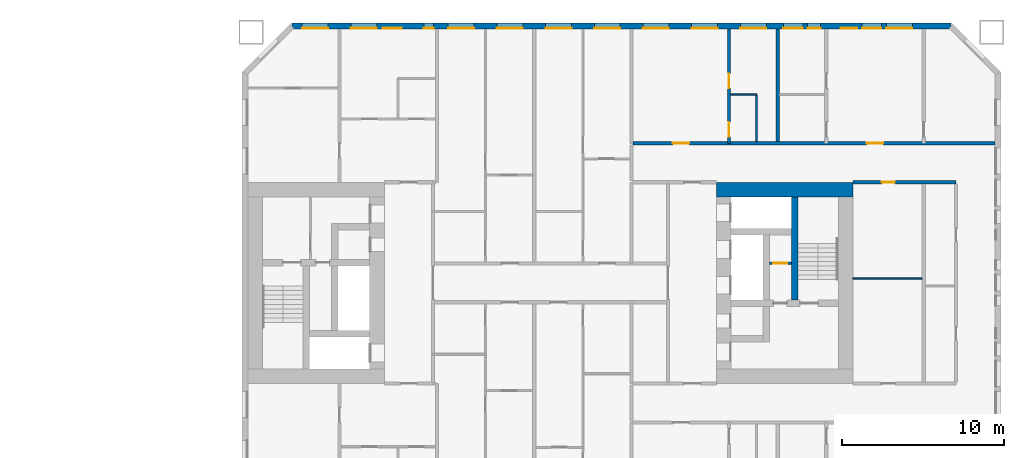
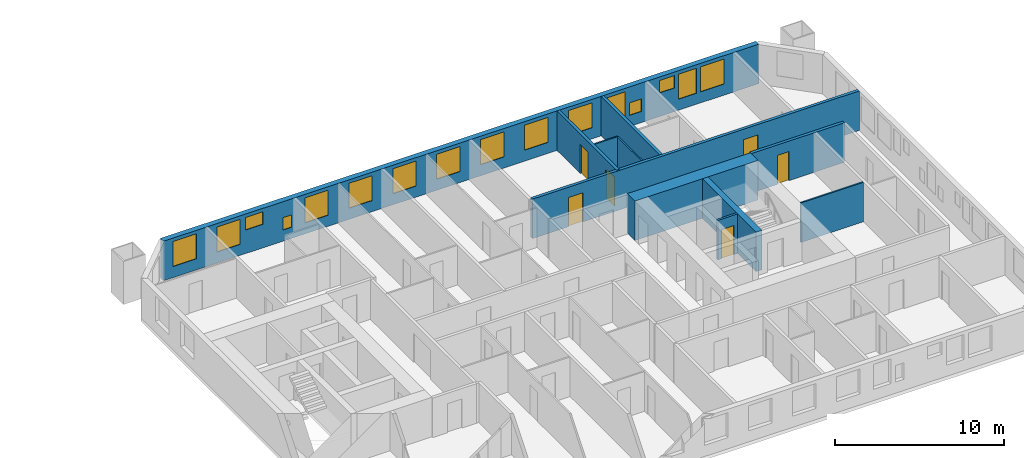
# One storey, part 14 of 17: 16 windows, 11 walls, 6 doors, 22 openings.
"""IFC4 building model written with IfcOpenShell, lengths in metres."""

import ifcopenshell
import ifcopenshell.guid

model = None  # the IFC model being written
_history = None  # IfcOwnerHistory: only IFC2X3 demands one
_inside = {}  # id of a spatial element -> (the spatial element, [elements in it])
_under = {}  # id of a project, library or spatial element -> (it, [spatial elements below it])
_declared = {}  # id of a project -> (the project, [libraries it declares])
_typed = {}  # id of a type object -> (the type object, [elements of that type])
_made_of = {}  # id of a material, layer set ... -> (it, [elements and type objects made of it])


def new_model(schema):
    """Start an empty IFC model of exactly this schema.

    Asked for "IFC4X3", IfcOpenShell would pick the latest addendum, in which some entities
    have other attributes; the version numbers below select the first issue.
    IFC2X3 requires an IfcOwnerHistory on every rooted entity: one is made here for all.
    """
    global model, _history
    if schema == "IFC4X3":
        model = ifcopenshell.file(schema_version=(4, 3, 0, 0))
    else:
        model = ifcopenshell.file(schema=schema)
    _inside.clear()
    _under.clear()
    _declared.clear()
    _typed.clear()
    _made_of.clear()
    _history = None
    if model.schema == "IFC2X3":
        org = make("IfcOrganization", Name="unknown")
        user = make(
            "IfcPersonAndOrganization",
            ThePerson=make("IfcPerson", FamilyName="unknown"),
            TheOrganization=org,
        )
        app = make(
            "IfcApplication",
            ApplicationDeveloper=org,
            Version="unknown",
            ApplicationFullName="unknown",
            ApplicationIdentifier="unknown",
        )
        _history = make(
            "IfcOwnerHistory",
            OwningUser=user,
            OwningApplication=app,
            ChangeAction="ADDED",
            CreationDate=0,
        )
    return model


def make(cls, **values):
    """One entity of the class cls with the attributes given. An attribute that is None is left unset."""
    return model.create_entity(
        cls, **{name: value for name, value in values.items() if value is not None}
    )


def rooted(cls, **values):
    """An entity with a GlobalId (a new one), such as an element, a storey or a relation."""
    return make(cls, GlobalId=ifcopenshell.guid.new(), OwnerHistory=_history, **values)


def si_unit(unit_type, name, prefix=None):
    """IfcSIUnit, for example si_unit("LENGTHUNIT", "METRE", prefix="MILLI")."""
    return make("IfcSIUnit", UnitType=unit_type, Prefix=prefix, Name=name)


def assignment(units):
    """IfcUnitAssignment: the units of a project."""
    return None if units is None else make("IfcUnitAssignment", Units=units)


def point(xyz):
    """IfcCartesianPoint."""
    return None if xyz is None else make("IfcCartesianPoint", Coordinates=xyz)


def direction(xyz):
    """IfcDirection."""
    return None if xyz is None else make("IfcDirection", DirectionRatios=xyz)


def frame(location, z_axis=None, x_axis=None):
    """IfcAxis2Placement3D, a coordinate frame: its origin and axes. An axis left out is left unset."""
    return make(
        "IfcAxis2Placement3D",
        Location=point(location),
        Axis=direction(z_axis),
        RefDirection=direction(x_axis),
    )


def frame_2d(location, x_axis=None):
    """IfcAxis2Placement2D, a coordinate frame in the plane: its origin and x axis."""
    return make(
        "IfcAxis2Placement2D", Location=point(location), RefDirection=direction(x_axis)
    )


def origin():
    """The frame at (0, 0, 0) with its axes left unset."""
    return frame((0.0, 0.0, 0.0))


def place(relative_to, where):
    """IfcLocalPlacement: puts the frame where relative to a parent placement (None: the world)."""
    return make(
        "IfcLocalPlacement", PlacementRelTo=relative_to, RelativePlacement=where
    )


def context(
    kind, dimensions, precision=None, world=None, true_north=None, identifier=None
):
    """IfcGeometricRepresentationContext, for example the 3D "Model" context."""
    return make(
        "IfcGeometricRepresentationContext",
        ContextIdentifier=identifier,
        ContextType=kind,
        CoordinateSpaceDimension=dimensions,
        Precision=precision,
        WorldCoordinateSystem=world,
        TrueNorth=true_north,
    )


def subcontext(parent, identifier, kind, view, scale=None):
    """IfcGeometricRepresentationSubContext, for example "Body" below "Model"."""
    return make(
        "IfcGeometricRepresentationSubContext",
        ContextIdentifier=identifier,
        ContextType=kind,
        ParentContext=parent,
        TargetScale=scale,
        TargetView=view,
    )


def project(units=None, contexts=None):
    """IfcProject with its units and contexts."""
    return rooted(
        "IfcProject",
        Name="project",
        RepresentationContexts=contexts,
        UnitsInContext=assignment(units),
    )


def spatial(cls, under=None, at=None, **own):
    """A site, building, storey or space (cls), placed at a placement, below another one or the project."""
    s = rooted(cls, ObjectPlacement=at, **own)
    if under is not None:
        _under.setdefault(under.id(), (under, []))[1].append(s)
    return s


def profile(cls, at=None, kind="AREA", **sizes):
    """A parametric profile (cls). Its sizes go by their IFC names, for example OverallWidth=200.0."""
    return make(cls, ProfileType=kind, Position=at, **sizes)


def rectangle(**sizes):
    """IfcRectangleProfileDef."""
    return profile("IfcRectangleProfileDef", **sizes)


def extrude(swept, where, along, depth):
    """IfcExtrudedAreaSolid: the profile swept, set in the frame where, extruded along a direction by depth."""
    return make(
        "IfcExtrudedAreaSolid",
        SweptArea=swept,
        Position=where,
        ExtrudedDirection=direction(along),
        Depth=depth,
    )


def shape(context_of_items, identifier, shape_type, items):
    """IfcShapeRepresentation: the items that make up one representation, for example the "Body"."""
    return make(
        "IfcShapeRepresentation",
        ContextOfItems=context_of_items,
        RepresentationIdentifier=identifier,
        RepresentationType=shape_type,
        Items=items,
    )


def material(Name=None, Category=None):
    """IfcMaterial."""
    return make("IfcMaterial", Name=Name, Category=Category)


def layer(
    of_material, thickness, ventilated=None, Name=None, Category=None, Priority=None
):
    """IfcMaterialLayer: one layer of a wall or slab, of a material (None: an air gap)."""
    return make(
        "IfcMaterialLayer",
        Material=of_material,
        LayerThickness=thickness,
        IsVentilated=ventilated,
        Name=Name,
        Category=Category,
        Priority=Priority,
    )


def layer_set(layers, Name=None):
    """IfcMaterialLayerSet."""
    return make("IfcMaterialLayerSet", MaterialLayers=layers, LayerSetName=Name)


def made_of(thing, what):
    """Note that an element or type object is made of a material, layer set ...; save() writes the relation."""
    if what is not None:
        _made_of.setdefault(what.id(), (what, []))[1].append(thing)
    return thing


def type_object(cls, material=None, **own):
    """A type object (cls), such as IfcWallType, which elements share."""
    return made_of(rooted(cls, **own), material)


def element(
    cls,
    number,
    at=None,
    inside=None,
    cuts=None,
    type_object=None,
    material=None,
    context=None,
    identifier="Body",
    shape_type=None,
    held_by="IfcProductDefinitionShape",
    body=None,
    shapes=None,
    **own,
):
    """One element of the class cls, such as IfcWall. Its Tag is "e" and its number.

    at: its placement. inside: the storey or other place that contains it. cuts: it is an
    opening in that element (IfcRelVoidsElement). A single representation is given by context,
    identifier, shape_type and body (its items); several are given by shapes. held_by: the class
    of the entity that holds the representations. save() writes the other relations.
    """
    e = rooted(cls, Tag="e%d" % number, ObjectPlacement=at, **own)
    if body is not None:
        shapes = [shape(context, identifier, shape_type, body)]
    if shapes is not None:
        e.Representation = make(held_by, Representations=shapes)
    if inside is not None:
        _inside.setdefault(inside.id(), (inside, []))[1].append(e)
    if cuts is not None:
        rooted(
            "IfcRelVoidsElement", RelatingBuildingElement=cuts, RelatedOpeningElement=e
        )
    if type_object is not None:
        _typed.setdefault(type_object.id(), (type_object, []))[1].append(e)
    return made_of(e, material)


def fill(opening, filler):
    """IfcRelFillsElement: the door or window that sits in an opening."""
    return rooted(
        "IfcRelFillsElement",
        RelatingOpeningElement=opening,
        RelatedBuildingElement=filler,
    )


def aggregate(whole, parts):
    """IfcRelAggregates: a whole, such as a stair, and the parts it consists of."""
    return rooted("IfcRelAggregates", RelatingObject=whole, RelatedObjects=parts)


def save(model, path):
    """Write the relations noted so far, then the file.

    IfcRelAggregates (storeys below a building ...), IfcRelContainedInSpatialStructure (elements
    in a storey), IfcRelDefinesByType, IfcRelAssociatesMaterial and IfcRelDeclares: one each for
    every whole, place, type object, material and project.
    """
    for whole, parts in _under.values():
        aggregate(whole, parts)
    for where, things in _inside.values():
        rooted(
            "IfcRelContainedInSpatialStructure",
            RelatedElements=things,
            RelatingStructure=where,
        )
    for kind, things in _typed.values():
        rooted("IfcRelDefinesByType", RelatedObjects=things, RelatingType=kind)
    for what, things in _made_of.values():
        rooted("IfcRelAssociatesMaterial", RelatedObjects=things, RelatingMaterial=what)
    for by, libraries in _declared.values():
        rooted("IfcRelDeclares", RelatingContext=by, RelatedDefinitions=libraries)
    model.write(path)


model = new_model("IFC4")

# Units and contexts
model_context = context("Model", 3, precision=1e-05, world=origin(), true_north=direction((0.0, 1.0)))
body_context = subcontext(model_context, "Body", "Model", "MODEL_VIEW")
ifc_project = project(units=[si_unit("LENGTHUNIT", "METRE"), si_unit("AREAUNIT", "SQUARE_METRE"), si_unit("VOLUMEUNIT", "CUBIC_METRE"), si_unit("PLANEANGLEUNIT", "RADIAN"), si_unit("MASSUNIT", "GRAM", prefix="KILO")], contexts=[model_context])

# Site, building, storey
site_placement = place(None, origin())
site = spatial("IfcSite", under=ifc_project, at=site_placement, CompositionType="ELEMENT")
building_placement = place(site_placement, origin())
building = spatial("IfcBuilding", under=site, at=building_placement, Name="Tuart Gate Housing", CompositionType="ELEMENT")
storey_placement = place(building_placement, frame((0.0, 0.0, 25.699951171875)))
storey = spatial("IfcBuildingStorey", under=building, at=storey_placement, Name="L06", CompositionType="ELEMENT", Elevation=25.699951171875)

# Wall, openings, windows
ifc_material_1 = material(Name="Brick", Category="masonry")
ifc_layer_1 = layer(ifc_material_1, 0.360107421875)
ifc_layer_set_1 = layer_set([ifc_layer_1], Name="Brick pier and spandrel wall 360")
wall_type_1 = type_object("IfcWallType", Name="Brick pier and spandrel wall 360", PredefinedType="STANDARD", material=ifc_layer_set_1)
wall_1_placement = place(storey_placement, frame((174.67529296875, 85.820068359375, 0.0), z_axis=(0.0, 0.0, 1.0), x_axis=(-1.0, 0.0, 0.0)))
wall_1 = element("IfcWall", 1, at=wall_1_placement, inside=storey, type_object=wall_type_1, Name="External wall B-N L06", PredefinedType="STANDARD", context=body_context, shape_type="SweptSolid", body=[
    extrude(rectangle(XDim=40.600830078125, YDim=0.360107421875, at=frame_2d((20.30029296875, 0.0))), origin(), (0.0, 0.0, 1.0), 2.85009765625),
])
opening_1_placement = place(wall_1_placement, frame((2.37548828125, 0.0, 0.800048828125)))
opening_1 = element("IfcOpeningElement", 2, at=opening_1_placement, cuts=wall_1, Name="Opening W1", PredefinedType="OPENING", context=body_context, shape_type="SweptSolid", body=[
    extrude(rectangle(XDim=1.60009765625, YDim=1.800048828125, at=frame_2d((0.800048828125, 0.89990234375))), frame((0.0, 0.18994140625, 0.0), z_axis=(0.0, -1.0, 0.0), x_axis=(1.0, 0.0, 0.0)), (0.0, 0.0, 1.0), 0.380126953125),
])
opening_2_placement = place(wall_1_placement, frame((4.275390625, 0.0, 0.800048828125)))
opening_2 = element("IfcOpeningElement", 3, at=opening_2_placement, cuts=wall_1, Name="Opening W1B", PredefinedType="OPENING", context=body_context, shape_type="SweptSolid", body=[
    extrude(rectangle(XDim=1.199951171875, YDim=1.800048828125, at=frame_2d((0.60009765625, 0.89990234375))), frame((0.0, 0.18994140625, 0.0), z_axis=(0.0, -1.0, 0.0), x_axis=(1.0, 0.0, 0.0)), (0.0, 0.0, 1.0), 0.380126953125),
])
opening_3_placement = place(wall_1_placement, frame((8.025390625, 0.0, 0.800048828125)))
opening_3 = element("IfcOpeningElement", 4, at=opening_3_placement, cuts=wall_1, Name="Opening W1V", PredefinedType="OPENING", context=body_context, shape_type="SweptSolid", body=[
    extrude(rectangle(XDim=0.800048828125, YDim=0.89990234375, at=frame_2d((0.39990234375, 0.449951171875))), frame((0.0, 0.18994140625, 0.0), z_axis=(0.0, -1.0, 0.0), x_axis=(1.0, 0.0, 0.0)), (0.0, 0.0, 1.0), 0.380126953125),
])
opening_4_placement = place(wall_1_placement, frame((11.37548828125, 0.0, 0.800048828125)))
opening_4 = element("IfcOpeningElement", 5, at=opening_4_placement, cuts=wall_1, Name="Opening W1", PredefinedType="OPENING", context=body_context, shape_type="SweptSolid", body=[
    extrude(rectangle(XDim=1.60009765625, YDim=1.800048828125, at=frame_2d((0.800048828125, 0.89990234375))), frame((0.0, 0.18994140625, 0.0), z_axis=(0.0, -1.0, 0.0), x_axis=(1.0, 0.0, 0.0)), (0.0, 0.0, 1.0), 0.380126953125),
])
opening_5_placement = place(wall_1_placement, frame((14.37548828125, 0.0, 0.800048828125)))
opening_5 = element("IfcOpeningElement", 6, at=opening_5_placement, cuts=wall_1, Name="Opening W1", PredefinedType="OPENING", context=body_context, shape_type="SweptSolid", body=[
    extrude(rectangle(XDim=1.60009765625, YDim=1.800048828125, at=frame_2d((0.800048828125, 0.89990234375))), frame((0.0, 0.18994140625, 0.0), z_axis=(0.0, -1.0, 0.0), x_axis=(1.0, 0.0, 0.0)), (0.0, 0.0, 1.0), 0.380126953125),
])
opening_6_placement = place(wall_1_placement, frame((17.37548828125, 0.0, 0.800048828125)))
opening_6 = element("IfcOpeningElement", 7, at=opening_6_placement, cuts=wall_1, Name="Opening W1", PredefinedType="OPENING", context=body_context, shape_type="SweptSolid", body=[
    extrude(rectangle(XDim=1.60009765625, YDim=1.800048828125, at=frame_2d((0.800048828125, 0.89990234375))), frame((0.0, 0.18994140625, 0.0), z_axis=(0.0, -1.0, 0.0), x_axis=(1.0, 0.0, 0.0)), (0.0, 0.0, 1.0), 0.380126953125),
])
opening_7_placement = place(wall_1_placement, frame((20.37548828125, 0.0, 0.800048828125)))
opening_7 = element("IfcOpeningElement", 8, at=opening_7_placement, cuts=wall_1, Name="Opening W1", PredefinedType="OPENING", context=body_context, shape_type="SweptSolid", body=[
    extrude(rectangle(XDim=1.60009765625, YDim=1.800048828125, at=frame_2d((0.800048828125, 0.89990234375))), frame((0.0, 0.18994140625, 0.0), z_axis=(0.0, -1.0, 0.0), x_axis=(1.0, 0.0, 0.0)), (0.0, 0.0, 1.0), 0.380126953125),
])
opening_8_placement = place(wall_1_placement, frame((23.37548828125, 0.0, 0.800048828125)))
opening_8 = element("IfcOpeningElement", 9, at=opening_8_placement, cuts=wall_1, Name="Opening W1", PredefinedType="OPENING", context=body_context, shape_type="SweptSolid", body=[
    extrude(rectangle(XDim=1.60009765625, YDim=1.800048828125, at=frame_2d((0.800048828125, 0.89990234375))), frame((0.0, 0.18994140625, 0.0), z_axis=(0.0, -1.0, 0.0), x_axis=(1.0, 0.0, 0.0)), (0.0, 0.0, 1.0), 0.380126953125),
])
opening_9_placement = place(wall_1_placement, frame((26.37548828125, 0.0, 0.800048828125)))
opening_9 = element("IfcOpeningElement", 10, at=opening_9_placement, cuts=wall_1, Name="Opening W1", PredefinedType="OPENING", context=body_context, shape_type="SweptSolid", body=[
    extrude(rectangle(XDim=1.60009765625, YDim=1.800048828125, at=frame_2d((0.800048828125, 0.89990234375))), frame((0.0, 0.18994140625, 0.0), z_axis=(0.0, -1.0, 0.0), x_axis=(1.0, 0.0, 0.0)), (0.0, 0.0, 1.0), 0.380126953125),
])
opening_10_placement = place(wall_1_placement, frame((29.37548828125, 0.0, 0.800048828125)))
opening_10 = element("IfcOpeningElement", 11, at=opening_10_placement, cuts=wall_1, Name="Opening W1", PredefinedType="OPENING", context=body_context, shape_type="SweptSolid", body=[
    extrude(rectangle(XDim=1.60009765625, YDim=1.800048828125, at=frame_2d((0.800048828125, 0.89990234375))), frame((0.0, 0.18994140625, 0.0), z_axis=(0.0, -1.0, 0.0), x_axis=(1.0, 0.0, 0.0)), (0.0, 0.0, 1.0), 0.380126953125),
])
opening_11_placement = place(wall_1_placement, frame((31.87548828125, 0.0, 0.800048828125)))
opening_11 = element("IfcOpeningElement", 12, at=opening_11_placement, cuts=wall_1, Name="Opening W1W", PredefinedType="OPENING", context=body_context, shape_type="SweptSolid", body=[
    extrude(rectangle(XDim=0.60009765625, YDim=0.89990234375, at=frame_2d((0.300048828125, 0.449951171875))), frame((0.0, 0.18994140625, 0.0), z_axis=(0.0, -1.0, 0.0), x_axis=(1.0, 0.0, 0.0)), (0.0, 0.0, 1.0), 0.380126953125),
])
opening_12_placement = place(wall_1_placement, frame((35.37548828125, 0.0, 0.800048828125)))
opening_12 = element("IfcOpeningElement", 13, at=opening_12_placement, cuts=wall_1, Name="Opening W1", PredefinedType="OPENING", context=body_context, shape_type="SweptSolid", body=[
    extrude(rectangle(XDim=1.60009765625, YDim=1.800048828125, at=frame_2d((0.800048828125, 0.89990234375))), frame((0.0, 0.18994140625, 0.0), z_axis=(0.0, -1.0, 0.0), x_axis=(1.0, 0.0, 0.0)), (0.0, 0.0, 1.0), 0.380126953125),
])
opening_13_placement = place(wall_1_placement, frame((38.37548828125, 0.0, 0.800048828125)))
opening_13 = element("IfcOpeningElement", 14, at=opening_13_placement, cuts=wall_1, Name="Opening W1", PredefinedType="OPENING", context=body_context, shape_type="SweptSolid", body=[
    extrude(rectangle(XDim=1.60009765625, YDim=1.800048828125, at=frame_2d((0.800048828125, 0.89990234375))), frame((0.0, 0.18994140625, 0.0), z_axis=(0.0, -1.0, 0.0), x_axis=(1.0, 0.0, 0.0)), (0.0, 0.0, 1.0), 0.380126953125),
])
opening_14_placement = place(wall_1_placement, frame((5.775390625, 0.0, 1.699951171875)))
opening_14 = element("IfcOpeningElement", 15, at=opening_14_placement, cuts=wall_1, Name="Opening W1U", PredefinedType="OPENING", context=body_context, shape_type="SweptSolid", body=[
    extrude(rectangle(XDim=1.0, YDim=0.89990234375, at=frame_2d((0.5, 0.449951171875))), frame((0.0, 0.18994140625, 0.0), z_axis=(0.0, -1.0, 0.0), x_axis=(1.0, 0.0, 0.0)), (0.0, 0.0, 1.0), 0.380126953125),
])
opening_15_placement = place(wall_1_placement, frame((9.12548828125, 0.0, 0.800048828125)))
opening_15 = element("IfcOpeningElement", 16, at=opening_15_placement, cuts=wall_1, Name="Opening W1B", PredefinedType="OPENING", context=body_context, shape_type="SweptSolid", body=[
    extrude(rectangle(XDim=1.199951171875, YDim=1.800048828125, at=frame_2d((0.60009765625, 0.89990234375))), frame((0.0, 0.18994140625, 0.0), z_axis=(0.0, -1.0, 0.0), x_axis=(1.0, 0.0, 0.0)), (0.0, 0.0, 1.0), 0.380126953125),
])
opening_16_placement = place(wall_1_placement, frame((33.825439453125, 0.0, 1.699951171875)))
opening_16 = element("IfcOpeningElement", 17, at=opening_16_placement, cuts=wall_1, Name="Opening W1T", PredefinedType="OPENING", context=body_context, shape_type="SweptSolid", body=[
    extrude(rectangle(XDim=1.199951171875, YDim=0.89990234375, at=frame_2d((0.60009765625, 0.449951171875))), frame((0.0, 0.18994140625, 0.0), z_axis=(0.0, -1.0, 0.0), x_axis=(1.0, 0.0, 0.0)), (0.0, 0.0, 1.0), 0.380126953125),
])
ifc_material_2 = material(Name="Aluminium frame with clear glass", Category="aluminium")
window_type_1 = type_object("IfcWindowType", Name="Punched window 1000 x 900", PartitioningType="SINGLE_PANEL", PredefinedType="WINDOW", material=ifc_material_2)
window_1_placement = place(opening_14_placement, origin())
window_1 = element("IfcWindow", 18, at=window_1_placement, inside=storey, type_object=window_type_1, Name="Window W1U", OverallHeight=0.89990234375, OverallWidth=1.0, PartitioningType="SINGLE_PANEL", PredefinedType="WINDOW", context=body_context, shape_type="SweptSolid", body=[
    extrude(rectangle(XDim=1.0, YDim=0.89990234375, at=frame_2d((0.5, 0.449951171875))), frame((0.0, 0.150146484375, 0.0), z_axis=(0.0, -1.0, 0.0), x_axis=(1.0, 0.0, 0.0)), (0.0, 0.0, 1.0), 0.06005859375),
])
fill(opening_14, window_1)
ifc_material_3 = material(Name="Aluminium frame with clear glass", Category="aluminium")
window_type_2 = type_object("IfcWindowType", Name="Punched window 1200 x 1800", PartitioningType="SINGLE_PANEL", PredefinedType="WINDOW", material=ifc_material_3)
window_2_placement = place(opening_2_placement, origin())
window_2 = element("IfcWindow", 19, at=window_2_placement, inside=storey, type_object=window_type_2, Name="Window W1B", OverallHeight=1.800048828125, OverallWidth=1.199951171875, PartitioningType="SINGLE_PANEL", PredefinedType="WINDOW", context=body_context, shape_type="SweptSolid", body=[
    extrude(rectangle(XDim=1.199951171875, YDim=1.800048828125, at=frame_2d((0.60009765625, 0.89990234375))), frame((0.0, 0.150146484375, 0.0), z_axis=(0.0, -1.0, 0.0), x_axis=(1.0, 0.0, 0.0)), (0.0, 0.0, 1.0), 0.06005859375),
])
fill(opening_2, window_2)
window_3_placement = place(opening_15_placement, origin())
window_3 = element("IfcWindow", 20, at=window_3_placement, inside=storey, type_object=window_type_2, Name="Window W1B", OverallHeight=1.800048828125, OverallWidth=1.199951171875, PartitioningType="SINGLE_PANEL", PredefinedType="WINDOW", context=body_context, shape_type="SweptSolid", body=[
    extrude(rectangle(XDim=1.199951171875, YDim=1.800048828125, at=frame_2d((0.60009765625, 0.89990234375))), frame((0.0, 0.150146484375, 0.0), z_axis=(0.0, -1.0, 0.0), x_axis=(1.0, 0.0, 0.0)), (0.0, 0.0, 1.0), 0.06005859375),
])
fill(opening_15, window_3)
ifc_material_4 = material(Name="Aluminium frame with clear glass", Category="aluminium")
window_type_3 = type_object("IfcWindowType", Name="Punched window 1200 x 900", PartitioningType="SINGLE_PANEL", PredefinedType="WINDOW", material=ifc_material_4)
window_4_placement = place(opening_16_placement, origin())
window_4 = element("IfcWindow", 21, at=window_4_placement, inside=storey, type_object=window_type_3, Name="Window W1T", OverallHeight=0.89990234375, OverallWidth=1.199951171875, PartitioningType="SINGLE_PANEL", PredefinedType="WINDOW", context=body_context, shape_type="SweptSolid", body=[
    extrude(rectangle(XDim=1.199951171875, YDim=0.89990234375, at=frame_2d((0.60009765625, 0.449951171875))), frame((0.0, 0.150146484375, 0.0), z_axis=(0.0, -1.0, 0.0), x_axis=(1.0, 0.0, 0.0)), (0.0, 0.0, 1.0), 0.06005859375),
])
fill(opening_16, window_4)
ifc_material_5 = material(Name="Aluminium frame with clear glass", Category="aluminium")
window_type_4 = type_object("IfcWindowType", Name="Punched window 1600 x 1800", PartitioningType="SINGLE_PANEL", PredefinedType="WINDOW", material=ifc_material_5)
window_5_placement = place(opening_1_placement, origin())
window_5 = element("IfcWindow", 22, at=window_5_placement, inside=storey, type_object=window_type_4, Name="Window W1", OverallHeight=1.800048828125, OverallWidth=1.60009765625, PartitioningType="SINGLE_PANEL", PredefinedType="WINDOW", context=body_context, shape_type="SweptSolid", body=[
    extrude(rectangle(XDim=1.60009765625, YDim=1.800048828125, at=frame_2d((0.800048828125, 0.89990234375))), frame((0.0, 0.150146484375, 0.0), z_axis=(0.0, -1.0, 0.0), x_axis=(1.0, 0.0, 0.0)), (0.0, 0.0, 1.0), 0.06005859375),
])
fill(opening_1, window_5)
window_6_placement = place(opening_4_placement, origin())
window_6 = element("IfcWindow", 23, at=window_6_placement, inside=storey, type_object=window_type_4, Name="Window W1", OverallHeight=1.800048828125, OverallWidth=1.60009765625, PartitioningType="SINGLE_PANEL", PredefinedType="WINDOW", context=body_context, shape_type="SweptSolid", body=[
    extrude(rectangle(XDim=1.60009765625, YDim=1.800048828125, at=frame_2d((0.800048828125, 0.89990234375))), frame((0.0, 0.150146484375, 0.0), z_axis=(0.0, -1.0, 0.0), x_axis=(1.0, 0.0, 0.0)), (0.0, 0.0, 1.0), 0.06005859375),
])
fill(opening_4, window_6)
window_7_placement = place(opening_5_placement, origin())
window_7 = element("IfcWindow", 24, at=window_7_placement, inside=storey, type_object=window_type_4, Name="Window W1", OverallHeight=1.800048828125, OverallWidth=1.60009765625, PartitioningType="SINGLE_PANEL", PredefinedType="WINDOW", context=body_context, shape_type="SweptSolid", body=[
    extrude(rectangle(XDim=1.60009765625, YDim=1.800048828125, at=frame_2d((0.800048828125, 0.89990234375))), frame((0.0, 0.150146484375, 0.0), z_axis=(0.0, -1.0, 0.0), x_axis=(1.0, 0.0, 0.0)), (0.0, 0.0, 1.0), 0.06005859375),
])
fill(opening_5, window_7)
window_8_placement = place(opening_6_placement, origin())
window_8 = element("IfcWindow", 25, at=window_8_placement, inside=storey, type_object=window_type_4, Name="Window W1", OverallHeight=1.800048828125, OverallWidth=1.60009765625, PartitioningType="SINGLE_PANEL", PredefinedType="WINDOW", context=body_context, shape_type="SweptSolid", body=[
    extrude(rectangle(XDim=1.60009765625, YDim=1.800048828125, at=frame_2d((0.800048828125, 0.89990234375))), frame((0.0, 0.150146484375, 0.0), z_axis=(0.0, -1.0, 0.0), x_axis=(1.0, 0.0, 0.0)), (0.0, 0.0, 1.0), 0.06005859375),
])
fill(opening_6, window_8)
window_9_placement = place(opening_7_placement, origin())
window_9 = element("IfcWindow", 26, at=window_9_placement, inside=storey, type_object=window_type_4, Name="Window W1", OverallHeight=1.800048828125, OverallWidth=1.60009765625, PartitioningType="SINGLE_PANEL", PredefinedType="WINDOW", context=body_context, shape_type="SweptSolid", body=[
    extrude(rectangle(XDim=1.60009765625, YDim=1.800048828125, at=frame_2d((0.800048828125, 0.89990234375))), frame((0.0, 0.150146484375, 0.0), z_axis=(0.0, -1.0, 0.0), x_axis=(1.0, 0.0, 0.0)), (0.0, 0.0, 1.0), 0.06005859375),
])
fill(opening_7, window_9)
window_10_placement = place(opening_8_placement, origin())
window_10 = element("IfcWindow", 27, at=window_10_placement, inside=storey, type_object=window_type_4, Name="Window W1", OverallHeight=1.800048828125, OverallWidth=1.60009765625, PartitioningType="SINGLE_PANEL", PredefinedType="WINDOW", context=body_context, shape_type="SweptSolid", body=[
    extrude(rectangle(XDim=1.60009765625, YDim=1.800048828125, at=frame_2d((0.800048828125, 0.89990234375))), frame((0.0, 0.150146484375, 0.0), z_axis=(0.0, -1.0, 0.0), x_axis=(1.0, 0.0, 0.0)), (0.0, 0.0, 1.0), 0.06005859375),
])
fill(opening_8, window_10)
window_11_placement = place(opening_9_placement, origin())
window_11 = element("IfcWindow", 28, at=window_11_placement, inside=storey, type_object=window_type_4, Name="Window W1", OverallHeight=1.800048828125, OverallWidth=1.60009765625, PartitioningType="SINGLE_PANEL", PredefinedType="WINDOW", context=body_context, shape_type="SweptSolid", body=[
    extrude(rectangle(XDim=1.60009765625, YDim=1.800048828125, at=frame_2d((0.800048828125, 0.89990234375))), frame((0.0, 0.150146484375, 0.0), z_axis=(0.0, -1.0, 0.0), x_axis=(1.0, 0.0, 0.0)), (0.0, 0.0, 1.0), 0.06005859375),
])
fill(opening_9, window_11)
window_12_placement = place(opening_10_placement, origin())
window_12 = element("IfcWindow", 29, at=window_12_placement, inside=storey, type_object=window_type_4, Name="Window W1", OverallHeight=1.800048828125, OverallWidth=1.60009765625, PartitioningType="SINGLE_PANEL", PredefinedType="WINDOW", context=body_context, shape_type="SweptSolid", body=[
    extrude(rectangle(XDim=1.60009765625, YDim=1.800048828125, at=frame_2d((0.800048828125, 0.89990234375))), frame((0.0, 0.150146484375, 0.0), z_axis=(0.0, -1.0, 0.0), x_axis=(1.0, 0.0, 0.0)), (0.0, 0.0, 1.0), 0.06005859375),
])
fill(opening_10, window_12)
window_13_placement = place(opening_12_placement, origin())
window_13 = element("IfcWindow", 30, at=window_13_placement, inside=storey, type_object=window_type_4, Name="Window W1", OverallHeight=1.800048828125, OverallWidth=1.60009765625, PartitioningType="SINGLE_PANEL", PredefinedType="WINDOW", context=body_context, shape_type="SweptSolid", body=[
    extrude(rectangle(XDim=1.60009765625, YDim=1.800048828125, at=frame_2d((0.800048828125, 0.89990234375))), frame((0.0, 0.150146484375, 0.0), z_axis=(0.0, -1.0, 0.0), x_axis=(1.0, 0.0, 0.0)), (0.0, 0.0, 1.0), 0.06005859375),
])
fill(opening_12, window_13)
window_14_placement = place(opening_13_placement, origin())
window_14 = element("IfcWindow", 31, at=window_14_placement, inside=storey, type_object=window_type_4, Name="Window W1", OverallHeight=1.800048828125, OverallWidth=1.60009765625, PartitioningType="SINGLE_PANEL", PredefinedType="WINDOW", context=body_context, shape_type="SweptSolid", body=[
    extrude(rectangle(XDim=1.60009765625, YDim=1.800048828125, at=frame_2d((0.800048828125, 0.89990234375))), frame((0.0, 0.150146484375, 0.0), z_axis=(0.0, -1.0, 0.0), x_axis=(1.0, 0.0, 0.0)), (0.0, 0.0, 1.0), 0.06005859375),
])
fill(opening_13, window_14)
ifc_material_6 = material(Name="Aluminium frame with clear glass", Category="aluminium")
window_type_5 = type_object("IfcWindowType", Name="Punched window 600 x 900", PartitioningType="SINGLE_PANEL", PredefinedType="WINDOW", material=ifc_material_6)
window_15_placement = place(opening_11_placement, origin())
window_15 = element("IfcWindow", 32, at=window_15_placement, inside=storey, type_object=window_type_5, Name="Window W1W", OverallHeight=0.89990234375, OverallWidth=0.60009765625, PartitioningType="SINGLE_PANEL", PredefinedType="WINDOW", context=body_context, shape_type="SweptSolid", body=[
    extrude(rectangle(XDim=0.60009765625, YDim=0.89990234375, at=frame_2d((0.300048828125, 0.449951171875))), frame((0.0, 0.150146484375, 0.0), z_axis=(0.0, -1.0, 0.0), x_axis=(1.0, 0.0, 0.0)), (0.0, 0.0, 1.0), 0.06005859375),
])
fill(opening_11, window_15)
ifc_material_7 = material(Name="Aluminium frame with clear glass", Category="aluminium")
window_type_6 = type_object("IfcWindowType", Name="Punched window 800 x 900", PartitioningType="SINGLE_PANEL", PredefinedType="WINDOW", material=ifc_material_7)
window_16_placement = place(opening_3_placement, origin())
window_16 = element("IfcWindow", 33, at=window_16_placement, inside=storey, type_object=window_type_6, Name="Window W1V", OverallHeight=0.89990234375, OverallWidth=0.800048828125, PartitioningType="SINGLE_PANEL", PredefinedType="WINDOW", context=body_context, shape_type="SweptSolid", body=[
    extrude(rectangle(XDim=0.800048828125, YDim=0.89990234375, at=frame_2d((0.39990234375, 0.449951171875))), frame((0.0, 0.150146484375, 0.0), z_axis=(0.0, -1.0, 0.0), x_axis=(1.0, 0.0, 0.0)), (0.0, 0.0, 1.0), 0.06005859375),
])
fill(opening_3, window_16)

# Wall, opening, door
ifc_material_8 = material(Name="Plasterboard partition")
ifc_layer_2 = layer(ifc_material_8, 0.14990234375)
ifc_layer_set_2 = layer_set([ifc_layer_2], Name="Core partition 150")
wall_type_2 = type_object("IfcWallType", Name="Core partition 150", PredefinedType="PARTITIONING", material=ifc_layer_set_2)
wall_2_placement = place(storey_placement, frame((163.489990234375, 71.199951171875, 0.0), z_axis=(0.0, 0.0, 1.0), x_axis=(1.0, 0.0, 0.0)))
wall_2 = element("IfcWall", 34, at=wall_2_placement, inside=storey, type_object=wall_type_2, Name="Core partition BK.2", PredefinedType="PARTITIONING", context=body_context, shape_type="SweptSolid", body=[
    extrude(rectangle(XDim=1.35009765625, YDim=0.14990234375, at=frame_2d((0.675048828125, 0.0))), origin(), (0.0, 0.0, 1.0), 2.85009765625),
])
opening_17_placement = place(wall_2_placement, frame((0.25, 0.0, 0.0)))
opening_17 = element("IfcOpeningElement", 35, at=opening_17_placement, cuts=wall_2, Name="Opening D434", PredefinedType="OPENING", context=body_context, shape_type="SweptSolid", body=[
    extrude(rectangle(XDim=0.85009765625, YDim=2.10009765625, at=frame_2d((0.425048828125, 1.050048828125))), frame((0.0, 0.0849609375, 0.0), z_axis=(0.0, -1.0, 0.0), x_axis=(1.0, 0.0, 0.0)), (0.0, 0.0, 1.0), 0.169921875),
])
ifc_material_9 = material(Name="Steel fire door", Category="steel")
door_type_1 = type_object("IfcDoorType", Name="Service door 850 x 2100 RH", OperationType="SINGLE_SWING_RIGHT", PredefinedType="DOOR", material=ifc_material_9)
door_1_placement = place(opening_17_placement, frame((0.85009765625, 0.0, 0.0), z_axis=(0.0, 0.0, 1.0), x_axis=(-1.0, 0.0, 0.0)))
door_1 = element("IfcDoor", 36, at=door_1_placement, inside=storey, type_object=door_type_1, Name="Service room door BK.W2", OperationType="SINGLE_SWING_RIGHT", OverallHeight=2.10009765625, OverallWidth=0.85009765625, PredefinedType="DOOR", context=body_context, shape_type="SweptSolid", body=[
    extrude(rectangle(XDim=0.85009765625, YDim=2.10009765625, at=frame_2d((0.425048828125, 1.050048828125))), frame((0.0, 0.025146484375, 0.0), z_axis=(0.0, -1.0, 0.0), x_axis=(1.0, 0.0, 0.0)), (0.0, 0.0, 1.0), 0.050048828125),
])
fill(opening_17, door_1)

# Walls
ifc_material_10 = material(Name="Concrete C60", Category="concrete")
ifc_layer_3 = layer(ifc_material_10, 0.39990234375)
ifc_layer_set_3 = layer_set([ifc_layer_3], Name="Core wall 400 C60")
wall_type_3 = type_object("IfcWallType", Name="Core wall 400 C60", PredefinedType="SHEAR", material=ifc_layer_set_3)
wall_3_placement = place(storey_placement, frame((165.0400390625, 75.300048828125, 0.0), z_axis=(0.0, 0.0, 1.0), x_axis=(0.0, -1.0, 0.0)))
element("IfcWall", 37, at=wall_3_placement, inside=storey, type_object=wall_type_3, Name="Core wall BK.7", PredefinedType="SHEAR", context=body_context, shape_type="SweptSolid", body=[
    extrude(rectangle(XDim=6.35009765625, YDim=0.39990234375, at=frame_2d((3.175048828125, 0.0))), origin(), (0.0, 0.0, 1.0), 2.85009765625),
])
ifc_material_11 = material(Name="Concrete C60", Category="concrete")
ifc_layer_4 = layer(ifc_material_11, 0.89990234375)
ifc_layer_set_4 = layer_set([ifc_layer_4], Name="Core wall 900 C60")
wall_type_4 = type_object("IfcWallType", Name="Core wall 900 C60", PredefinedType="SHEAR", material=ifc_layer_set_4)
wall_4_placement = place(storey_placement, frame((160.239990234375, 75.75, 0.0), z_axis=(0.0, 0.0, 1.0), x_axis=(1.0, 0.0, 0.0)))
element("IfcWall", 38, at=wall_4_placement, inside=storey, type_object=wall_type_4, Name="Core wall BK south", PredefinedType="SHEAR", context=body_context, shape_type="SweptSolid", body=[
    extrude(rectangle(XDim=8.39990234375, YDim=0.89990234375, at=frame_2d((4.199951171875, 0.0))), origin(), (0.0, 0.0, 1.0), 2.85009765625),
])

# Wall, opening, door
ifc_material_12 = material(Name="Concrete masonry 15 MPa", Category="masonry")
ifc_layer_5 = layer(ifc_material_12, 0.199951171875)
ifc_layer_set_5 = layer_set([ifc_layer_5], Name="Corridor wall masonry 200")
wall_type_5 = type_object("IfcWallType", Name="Corridor wall masonry 200", PredefinedType="PARTITIONING", material=ifc_layer_set_5)
wall_5_placement = place(storey_placement, frame((168.639892578125, 76.199951171875, 0.0), z_axis=(0.0, 0.0, 1.0), x_axis=(1.0, 0.0, 0.0)))
wall_5 = element("IfcWall", 39, at=wall_5_placement, inside=storey, type_object=wall_type_5, Name="Corridor wall masonry 200", PredefinedType="PARTITIONING", context=body_context, shape_type="SweptSolid", body=[
    extrude(rectangle(XDim=6.35009765625, YDim=0.199951171875, at=frame_2d((3.175048828125, 0.0))), origin(), (0.0, 0.0, 1.0), 2.85009765625),
])
opening_18_placement = place(wall_5_placement, frame((1.780029296875, 0.0, 0.0)))
opening_18 = element("IfcOpeningElement", 40, at=opening_18_placement, cuts=wall_5, Name="Opening D428", PredefinedType="OPENING", context=body_context, shape_type="SweptSolid", body=[
    extrude(rectangle(XDim=0.800048828125, YDim=2.10009765625, at=frame_2d((0.39990234375, 1.050048828125))), frame((0.0, 0.10986328125, 0.0), z_axis=(0.0, -1.0, 0.0), x_axis=(1.0, 0.0, 0.0)), (0.0, 0.0, 1.0), 0.219970703125),
])
ifc_material_13 = material(Name="Timber door leaf in steel frame", Category="steel")
door_type_2 = type_object("IfcDoorType", Name="Store door 800 RH", OperationType="SINGLE_SWING_RIGHT", PredefinedType="DOOR", material=ifc_material_13)
door_2_placement = place(opening_18_placement, frame((0.800048828125, 0.0, 0.0), z_axis=(0.0, 0.0, 1.0), x_axis=(-1.0, 0.0, 0.0)))
door_2 = element("IfcDoor", 41, at=door_2_placement, inside=storey, type_object=door_type_2, Name="Store door", OperationType="SINGLE_SWING_RIGHT", OverallHeight=2.10009765625, OverallWidth=0.800048828125, PredefinedType="DOOR", context=body_context, shape_type="SweptSolid", body=[
    extrude(rectangle(XDim=0.800048828125, YDim=2.10009765625, at=frame_2d((0.400146484375, 1.050048828125))), frame((0.0, 0.025146484375, 0.0), z_axis=(0.0, -1.0, 0.0), x_axis=(1.0, 0.0, 0.0)), (0.0, 0.0, 1.0), 0.050048828125),
])
fill(opening_18, door_2)

# Wall, openings, doors
wall_6_placement = place(storey_placement, frame((155.10009765625, 78.60009765625, 0.0), z_axis=(0.0, 0.0, 1.0), x_axis=(1.0, 0.0, 0.0)))
wall_6 = element("IfcWall", 42, at=wall_6_placement, inside=storey, type_object=wall_type_5, Name="Corridor wall masonry 200", PredefinedType="PARTITIONING", context=body_context, shape_type="SweptSolid", body=[
    extrude(rectangle(XDim=22.289794921875, YDim=0.199951171875, at=frame_2d((11.14501953125, 0.0))), origin(), (0.0, 0.0, 1.0), 2.85009765625),
])
opening_19_placement = place(wall_6_placement, frame((2.449951171875, 0.0, 0.0)))
opening_19 = element("IfcOpeningElement", 43, at=opening_19_placement, cuts=wall_6, Name="Opening D418", PredefinedType="OPENING", context=body_context, shape_type="SweptSolid", body=[
    extrude(rectangle(XDim=1.0, YDim=2.10009765625, at=frame_2d((0.5, 1.050048828125))), frame((0.0, 0.10986328125, 0.0), z_axis=(0.0, -1.0, 0.0), x_axis=(1.0, 0.0, 0.0)), (0.0, 0.0, 1.0), 0.219970703125),
])
opening_20_placement = place(wall_6_placement, frame((14.39990234375, 0.0, 0.0)))
opening_20 = element("IfcOpeningElement", 44, at=opening_20_placement, cuts=wall_6, Name="Opening D419", PredefinedType="OPENING", context=body_context, shape_type="SweptSolid", body=[
    extrude(rectangle(XDim=1.0, YDim=2.10009765625, at=frame_2d((0.5, 1.050048828125))), frame((0.0, 0.10986328125, 0.0), z_axis=(0.0, -1.0, 0.0), x_axis=(1.0, 0.0, 0.0)), (0.0, 0.0, 1.0), 0.219970703125),
])
ifc_material_14 = material(Name="Timber door leaf in steel frame", Category="steel")
door_type_3 = type_object("IfcDoorType", Name="Flat entrance door 1000", OperationType="SINGLE_SWING_LEFT", PredefinedType="DOOR", material=ifc_material_14)
door_3_placement = place(opening_20_placement, origin())
door_3 = element("IfcDoor", 45, at=door_3_placement, inside=storey, type_object=door_type_3, Name="Flat entrance door", OperationType="SINGLE_SWING_LEFT", OverallHeight=2.10009765625, OverallWidth=1.0, PredefinedType="DOOR", context=body_context, shape_type="SweptSolid", body=[
    extrude(rectangle(XDim=1.0, YDim=2.10009765625, at=frame_2d((0.5, 1.050048828125))), frame((0.0, 0.02490234375, 0.0), z_axis=(0.0, -1.0, 0.0), x_axis=(1.0, 0.0, 0.0)), (0.0, 0.0, 1.0), 0.050048828125),
])
fill(opening_20, door_3)
ifc_material_15 = material(Name="Timber door leaf in steel frame", Category="steel")
door_type_4 = type_object("IfcDoorType", Name="Flat entrance door 1000 RH", OperationType="SINGLE_SWING_RIGHT", PredefinedType="DOOR", material=ifc_material_15)
door_4_placement = place(opening_19_placement, origin())
door_4 = element("IfcDoor", 46, at=door_4_placement, inside=storey, type_object=door_type_4, Name="Flat entrance door", OperationType="SINGLE_SWING_RIGHT", OverallHeight=2.10009765625, OverallWidth=1.0, PredefinedType="DOOR", context=body_context, shape_type="SweptSolid", body=[
    extrude(rectangle(XDim=1.0, YDim=2.10009765625, at=frame_2d((0.5, 1.050048828125))), frame((0.0, 0.02490234375, 0.0), z_axis=(0.0, -1.0, 0.0), x_axis=(1.0, 0.0, 0.0)), (0.0, 0.0, 1.0), 0.050048828125),
])
fill(opening_19, door_4)

# Walls
ifc_material_16 = material(Name="Gypsum board on steel studs", Category="steel")
ifc_layer_6 = layer(ifc_material_16, 0.10009765625)
ifc_layer_set_6 = layer_set([ifc_layer_6], Name="Partition 100")
wall_type_6 = type_object("IfcWallType", Name="Partition 100", PredefinedType="PARTITIONING", material=ifc_layer_set_6)
wall_7_placement = place(storey_placement, frame((168.639892578125, 70.280029296875, 0.0), z_axis=(0.0, 0.0, 1.0), x_axis=(1.0, 0.0, 0.0)))
element("IfcWall", 47, at=wall_7_placement, inside=storey, type_object=wall_type_6, Name="Partition 100", PredefinedType="PARTITIONING", context=body_context, shape_type="SweptSolid", body=[
    extrude(rectangle(XDim=4.260009765625, YDim=0.10009765625, at=frame_2d((2.1298828125, 0.0))), origin(), (0.0, 0.0, 1.0), 2.85009765625),
])
wall_8_placement = place(storey_placement, frame((161.10009765625, 81.60009765625, 0.0), z_axis=(0.0, 0.0, 1.0), x_axis=(1.0, 0.0, 0.0)))
element("IfcWall", 48, at=wall_8_placement, inside=storey, type_object=wall_type_6, Name="Partition 100", PredefinedType="PARTITIONING", context=body_context, shape_type="SweptSolid", body=[
    extrude(rectangle(XDim=1.599853515625, YDim=0.10009765625, at=frame_2d((0.7998046875, 0.0))), origin(), (0.0, 0.0, 1.0), 2.85009765625),
])
wall_9_placement = place(storey_placement, frame((162.699951171875, 78.699951171875, 0.0), z_axis=(0.0, 0.0, 1.0), x_axis=(0.0, 1.0, 0.0)))
element("IfcWall", 49, at=wall_9_placement, inside=storey, type_object=wall_type_6, Name="Partition 100", PredefinedType="PARTITIONING", context=body_context, shape_type="SweptSolid", body=[
    extrude(rectangle(XDim=2.85009765625, YDim=0.10009765625, at=frame_2d((1.425048828125, 0.0))), origin(), (0.0, 0.0, 1.0), 2.85009765625),
])

# Wall, openings, doors
ifc_material_17 = material(Name="Concrete C40", Category="concrete")
ifc_layer_7 = layer(ifc_material_17, 0.199951171875)
ifc_layer_set_7 = layer_set([ifc_layer_7], Name="Party wall concrete C40 200")
wall_type_7 = type_object("IfcWallType", Name="Party wall concrete C40 200", PredefinedType="SOLIDWALL", material=ifc_layer_set_7)
wall_10_placement = place(storey_placement, frame((161.0, 78.60009765625, 0.0), z_axis=(0.0, 0.0, 1.0), x_axis=(0.0, 1.0, 0.0)))
wall_10 = element("IfcWall", 50, at=wall_10_placement, inside=storey, type_object=wall_type_7, Name="Party wall concrete C40 200", PredefinedType="SOLIDWALL", context=body_context, shape_type="SweptSolid", body=[
    extrude(rectangle(XDim=7.039794921875, YDim=0.199951171875, at=frame_2d((3.52001953125, 0.0))), origin(), (0.0, 0.0, 1.0), 2.85009765625),
])
opening_21_placement = place(wall_10_placement, frame((3.39990234375, 0.0, 0.0)))
opening_21 = element("IfcOpeningElement", 51, at=opening_21_placement, cuts=wall_10, Name="Opening D410", PredefinedType="OPENING", context=body_context, shape_type="SweptSolid", body=[
    extrude(rectangle(XDim=0.89990234375, YDim=2.10009765625, at=frame_2d((0.449951171875, 1.050048828125))), frame((0.0, 0.10986328125, 0.0), z_axis=(0.0, -1.0, 0.0), x_axis=(1.0, 0.0, 0.0)), (0.0, 0.0, 1.0), 0.219970703125),
])
opening_22_placement = place(wall_10_placement, frame((0.39990234375, 0.0, 0.0)))
opening_22 = element("IfcOpeningElement", 52, at=opening_22_placement, cuts=wall_10, Name="Opening D409", PredefinedType="OPENING", context=body_context, shape_type="SweptSolid", body=[
    extrude(rectangle(XDim=0.89990234375, YDim=2.10009765625, at=frame_2d((0.449951171875, 1.050048828125))), frame((0.0, 0.10986328125, 0.0), z_axis=(0.0, -1.0, 0.0), x_axis=(1.0, 0.0, 0.0)), (0.0, 0.0, 1.0), 0.219970703125),
])
ifc_material_18 = material(Name="Timber door leaf in steel frame", Category="steel")
door_type_5 = type_object("IfcDoorType", Name="Bathroom door 900 RH", OperationType="SINGLE_SWING_RIGHT", PredefinedType="DOOR", material=ifc_material_18)
door_5_placement = place(opening_22_placement, frame((0.89990234375, 0.0, 0.0), z_axis=(0.0, 0.0, 1.0), x_axis=(-1.0, 0.0, 0.0)))
door_5 = element("IfcDoor", 53, at=door_5_placement, inside=storey, type_object=door_type_5, Name="Bathroom door", OperationType="SINGLE_SWING_RIGHT", OverallHeight=2.10009765625, OverallWidth=0.89990234375, PredefinedType="DOOR", context=body_context, shape_type="SweptSolid", body=[
    extrude(rectangle(XDim=0.89990234375, YDim=2.10009765625, at=frame_2d((0.449951171875, 1.050048828125))), frame((0.0, 0.025146484375, 0.0), z_axis=(0.0, -1.0, 0.0), x_axis=(1.0, 0.0, 0.0)), (0.0, 0.0, 1.0), 0.050048828125),
])
fill(opening_22, door_5)
ifc_material_19 = material(Name="Timber door leaf in steel frame", Category="steel")
door_type_6 = type_object("IfcDoorType", Name="Internal door 900 RH", OperationType="SINGLE_SWING_RIGHT", PredefinedType="DOOR", material=ifc_material_19)
door_6_placement = place(opening_21_placement, frame((0.89990234375, 0.0, 0.0), z_axis=(0.0, 0.0, 1.0), x_axis=(-1.0, 0.0, 0.0)))
door_6 = element("IfcDoor", 54, at=door_6_placement, inside=storey, type_object=door_type_6, Name="Internal door", OperationType="SINGLE_SWING_RIGHT", OverallHeight=2.10009765625, OverallWidth=0.89990234375, PredefinedType="DOOR", context=body_context, shape_type="SweptSolid", body=[
    extrude(rectangle(XDim=0.89990234375, YDim=2.10009765625, at=frame_2d((0.449951171875, 1.050048828125))), frame((0.0, 0.025146484375, 0.0), z_axis=(0.0, -1.0, 0.0), x_axis=(1.0, 0.0, 0.0)), (0.0, 0.0, 1.0), 0.050048828125),
])
fill(opening_21, door_6)

# Wall
ifc_material_20 = material(Name="Concrete masonry 15 MPa", Category="masonry")
ifc_layer_8 = layer(ifc_material_20, 0.199951171875)
ifc_layer_set_8 = layer_set([ifc_layer_8], Name="Party wall masonry 200")
wall_type_8 = type_object("IfcWallType", Name="Party wall masonry 200", PredefinedType="PARTITIONING", material=ifc_layer_set_8)
wall_11_placement = place(storey_placement, frame((164.0, 78.699951171875, 0.0), z_axis=(0.0, 0.0, 1.0), x_axis=(0.0, 1.0, 0.0)))
element("IfcWall", 55, at=wall_11_placement, inside=storey, type_object=wall_type_8, Name="Party wall masonry 200", PredefinedType="PARTITIONING", context=body_context, shape_type="SweptSolid", body=[
    extrude(rectangle(XDim=6.93994140625, YDim=0.199951171875, at=frame_2d((3.469970703125, 0.0))), origin(), (0.0, 0.0, 1.0), 2.85009765625),
])

save(model, "model.ifc")
